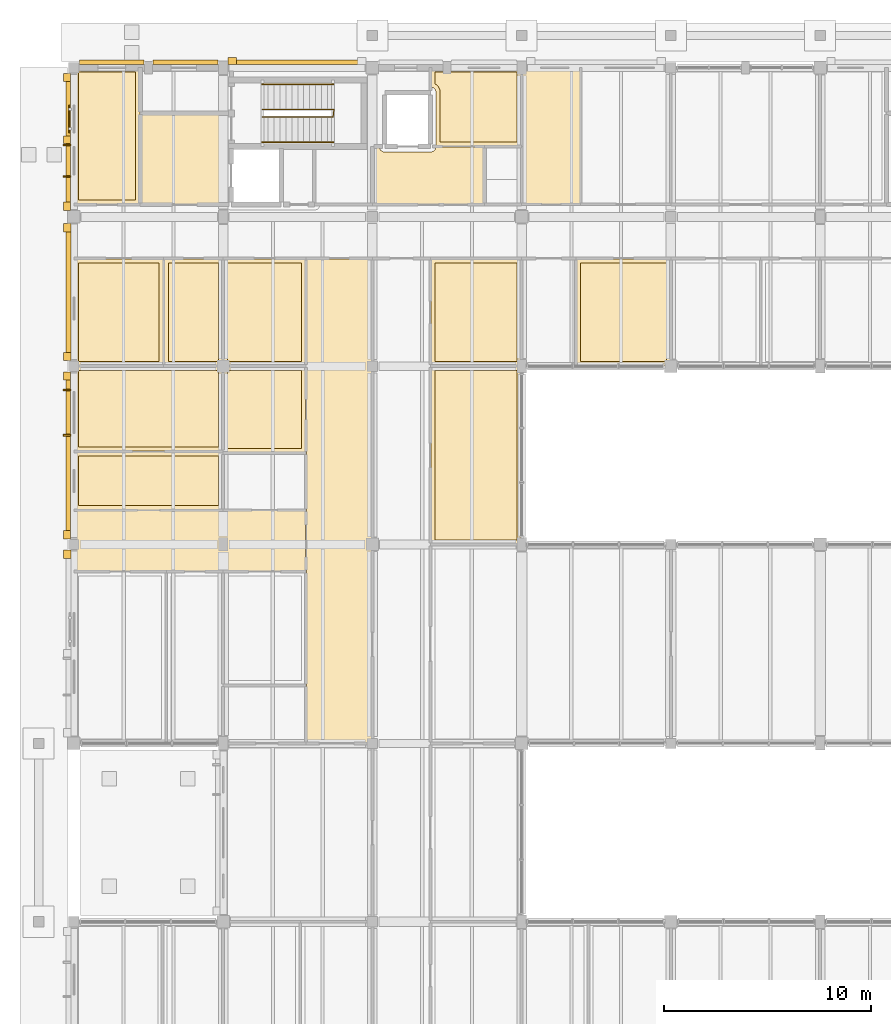
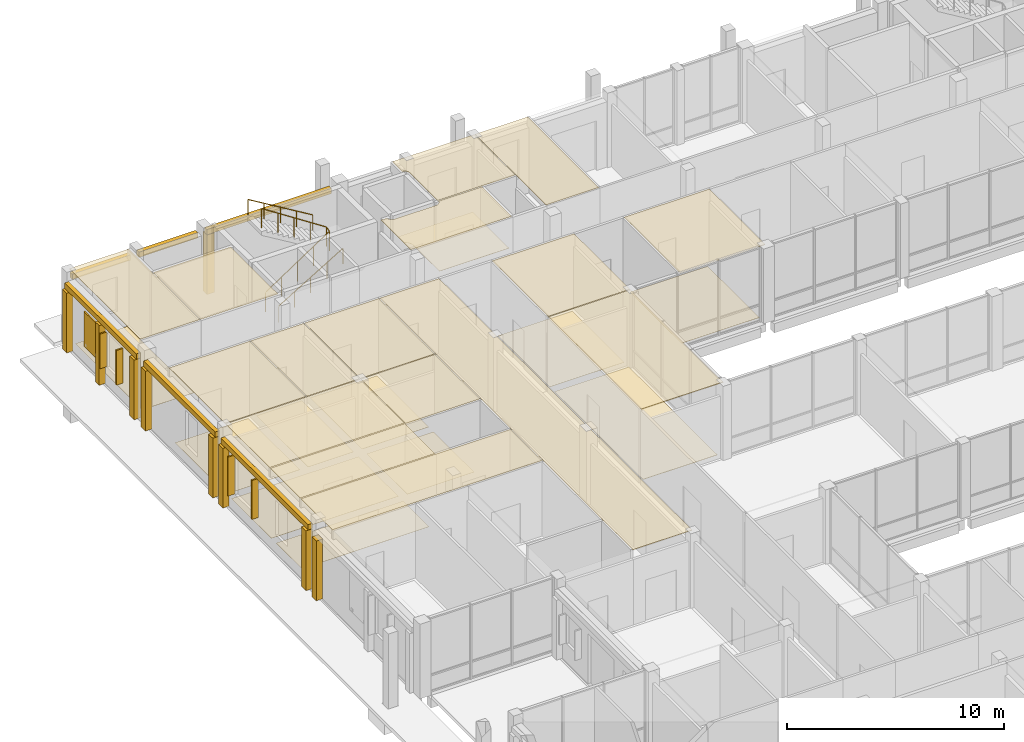
# One storey, part 95 of 104: 42 coverings, 5 shading devices, 3 railings.
"""IFC4 building model written with IfcOpenShell, lengths in metres."""

from ifc_helpers import new_model, si_unit, direction, frame, origin, origin_2d, place, context, subcontext, project, spatial, polyline, rectangle, circle, outline, extrude, material, layer, layer_set, type_object, element, save


model = new_model("IFC4")

# Units and contexts
model_context = context("Model", 3, precision=1e-05, world=origin(), true_north=direction((0.0, 1.0)))
body_context = subcontext(model_context, "Body", "Model", "MODEL_VIEW")
ifc_project = project(units=[si_unit("LENGTHUNIT", "METRE"), si_unit("AREAUNIT", "SQUARE_METRE"), si_unit("VOLUMEUNIT", "CUBIC_METRE"), si_unit("PLANEANGLEUNIT", "RADIAN"), si_unit("MASSUNIT", "GRAM", prefix="KILO")], contexts=[model_context])

# Site, building, storey
site_placement = place(None, origin())
site = spatial("IfcSite", under=ifc_project, at=site_placement, CompositionType="ELEMENT")
building_placement = place(site_placement, origin())
building = spatial("IfcBuilding", under=site, at=building_placement, Name="Hawrajan Terrace Health Centre", CompositionType="ELEMENT")
storey_placement = place(building_placement, origin())
storey = spatial("IfcBuildingStorey", under=building, at=storey_placement, Name="L00", CompositionType="ELEMENT", Elevation=0.0)

# Coverings
ifc_material_1 = material(Name="Precast concrete C40/50", Category="concrete")
ifc_layer_1 = layer(ifc_material_1, 0.219970703125)
ifc_layer_set_1 = layer_set([ifc_layer_1], Name="Precast concrete C40/50")
covering_type_1 = type_object("IfcCoveringType", Name="ArtDecoCorniceBand", PredefinedType="CLADDING", material=ifc_layer_set_1)
covering_1_placement = place(storey_placement, frame((4.330078125, 41.10009765625, 3.3701171875), z_axis=(0.0, 0.0, 1.0), x_axis=(0.0, 1.0, 0.0)))
element("IfcCovering", 1, at=covering_1_placement, inside=storey, type_object=covering_type_1, Name="Art Deco limestone cornice band CRN-L00-0006", PredefinedType="CLADDING", context=body_context, shape_type="SweptSolid", body=[
    extrude(rectangle(XDim=8.06005859375, YDim=0.219970703125, at=origin_2d()), origin(), (0.0, 0.0, 1.0), 0.300048828125),
])
covering_2_placement = place(storey_placement, frame((4.340087890625, 48.97509765625, 3.3701171875), z_axis=(0.0, 0.0, 1.0), x_axis=(0.0, 1.0, 0.0)))
element("IfcCovering", 2, at=covering_2_placement, inside=storey, type_object=covering_type_1, Name="Art Deco limestone cornice band CRN-L00-0007", PredefinedType="CLADDING", context=body_context, shape_type="SweptSolid", body=[
    extrude(rectangle(XDim=6.610107421875, YDim=0.219970703125, at=origin_2d()), origin(), (0.0, 0.0, 1.0), 0.300048828125),
])
covering_3_placement = place(storey_placement, frame((6.425048828125, 60.06005859375, 3.3701171875), z_axis=(0.0, 0.0, 1.0), x_axis=(1.0, 0.0, 0.0)))
element("IfcCovering", 3, at=covering_3_placement, inside=storey, type_object=covering_type_1, Name="Art Deco limestone cornice band CRN-L00-0008", PredefinedType="CLADDING", context=body_context, shape_type="SweptSolid", body=[
    extrude(rectangle(XDim=3.110107421875, YDim=0.219970703125, at=origin_2d()), origin(), (0.0, 0.0, 1.0), 0.300048828125),
])
covering_4_placement = place(storey_placement, frame((9.987548828125, 60.06005859375, 3.3701171875), z_axis=(0.0, 0.0, 1.0), x_axis=(1.0, 0.0, 0.0)))
element("IfcCovering", 4, at=covering_4_placement, inside=storey, type_object=covering_type_1, Name="Art Deco limestone cornice band CRN-L00-0009", PredefinedType="CLADDING", context=body_context, shape_type="SweptSolid", body=[
    extrude(rectangle(XDim=3.135009765625, YDim=0.219970703125, at=origin_2d()), origin(), (0.0, 0.0, 1.0), 0.300048828125),
])
covering_5_placement = place(storey_placement, frame((4.330078125, 56.22509765625, 3.3701171875), z_axis=(0.0, 0.0, 1.0), x_axis=(0.0, 1.0, 0.0)))
element("IfcCovering", 5, at=covering_5_placement, inside=storey, type_object=covering_type_1, Name="Art Deco limestone cornice band CRN-L00-0010", PredefinedType="CLADDING", context=body_context, shape_type="SweptSolid", body=[
    extrude(rectangle(XDim=6.610107421875, YDim=0.219970703125, at=origin_2d()), origin(), (0.0, 0.0, 1.0), 0.300048828125),
])
covering_6_placement = place(storey_placement, frame((15.362548828125, 60.070068359375, 3.3701171875), z_axis=(0.0, 0.0, 1.0), x_axis=(1.0, 0.0, 0.0)))
element("IfcCovering", 6, at=covering_6_placement, inside=storey, type_object=covering_type_1, Name="Art Deco limestone cornice band CRN-L00-0013", PredefinedType="CLADDING", context=body_context, shape_type="SweptSolid", body=[
    extrude(rectangle(XDim=6.635009765625, YDim=0.219970703125, at=origin_2d()), origin(), (0.0, 0.0, 1.0), 0.300048828125),
])
ifc_layer_2 = layer(ifc_material_1, 0.340087890625)
ifc_layer_set_2 = layer_set([ifc_layer_2], Name="Precast concrete C40/50")
covering_type_2 = type_object("IfcCoveringType", Name="ArtDecoStonePilaster", PredefinedType="CLADDING", material=ifc_layer_set_2)
for number, where, z_axis, x_axis, name in (
    (7, (4.280029296875, 36.330078125, 0.0), (0.0, 0.0, 1.0), (0.0, 1.0, 0.0), "Art Deco fluted limestone pilaster FPIL-L00-0007"),
    (8, (4.27001953125, 37.27001953125, 0.0), (0.0, 0.0, 1.0), (0.0, 1.0, 0.0), "Art Deco fluted limestone pilaster FPIL-L00-0009"),
    (9, (4.27001953125, 44.929931640625, 0.0), (0.0, 0.0, 1.0), (0.0, 1.0, 0.0), "Art Deco fluted limestone pilaster FPIL-L00-0010"),
    (10, (4.280029296875, 45.8701171875, 0.0), (0.0, 0.0, 1.0), (0.0, 1.0, 0.0), "Art Deco fluted limestone pilaster FPIL-L00-0011"),
    (11, (4.280029296875, 52.080078125, 0.0), (0.0, 0.0, 1.0), (0.0, 1.0, 0.0), "Art Deco fluted limestone pilaster FPIL-L00-0012"),
    (12, (4.27001953125, 53.1201171875, 0.0), (0.0, 0.0, 1.0), (0.0, 1.0, 0.0), "Art Deco fluted limestone pilaster FPIL-L00-0013"),
    (13, (4.27001953125, 59.330078125, 0.0), (0.0, 0.0, 1.0), (0.0, 1.0, 0.0), "Art Deco fluted limestone pilaster FPIL-L00-0014"),
):
    element("IfcCovering", number, at=place(storey_placement, frame(where, z_axis=z_axis, x_axis=x_axis)), inside=storey, type_object=covering_type_2, Name=name, PredefinedType="CLADDING", context=body_context, shape_type="SweptSolid", body=[
        extrude(rectangle(XDim=0.39990234375, YDim=0.340087890625, at=origin_2d()), origin(), (0.0, 0.0, 1.0), 3.360107421875),
    ])
covering_7_placement = place(storey_placement, frame((4.27001953125, 56.31494140625, 0.0), z_axis=(0.0, 0.0, 1.0), x_axis=(0.0, 1.0, 0.0)))
element("IfcCovering", 14, at=covering_7_placement, inside=storey, type_object=covering_type_2, Name="Art Deco mullion pilaster FPIL-L00-0015", PredefinedType="CLADDING", context=body_context, shape_type="SweptSolid", body=[
    extrude(rectangle(XDim=0.360107421875, YDim=0.340087890625, at=origin_2d()), origin(), (0.0, 0.0, 1.0), 3.360107421875),
])
covering_8_placement = place(storey_placement, frame((12.2451171875, 60.1298828125, 0.0), z_axis=(0.0, 0.0, 1.0), x_axis=(1.0, 0.0, 0.0)))
element("IfcCovering", 15, at=covering_8_placement, inside=storey, type_object=covering_type_2, Name="Art Deco fluted limestone pilaster FPIL-L00-0020", PredefinedType="CLADDING", context=body_context, shape_type="SweptSolid", body=[
    extrude(rectangle(XDim=0.39990234375, YDim=0.340087890625, at=origin_2d()), origin(), (0.0, 0.0, 1.0), 3.360107421875),
])
ifc_material_2 = material(Name="Acoustic linear cedar-slat suspended ceiling")
ifc_layer_3 = layer(ifc_material_2, 0.034912109375)
ifc_layer_set_3 = layer_set([ifc_layer_3], Name="Acoustic linear cedar-slat suspended ceiling")
covering_type_3 = type_object("IfcCoveringType", Name="CedarSlatHallCeiling_35", PredefinedType="CEILING", material=ifc_layer_set_3)
covering_9_placement = place(storey_placement, frame((0.0, 0.0, 4.14501953125)))
element("IfcCovering", 16, at=covering_9_placement, inside=storey, type_object=covering_type_3, Name="Suspended ceiling L00-054", PredefinedType="CEILING", context=body_context, shape_type="SweptSolid", body=[
    extrude(outline(polyline([(21.820068359375, 45.3798828125), (26.179931640625, 45.3798828125), (26.179931640625, 36.820068359375), (21.820068359375, 36.820068359375), (21.820068359375, 45.3798828125)])), origin(), (0.0, 0.0, 1.0), 0.034912109375),
])
ifc_material_3 = material(Name="Hygienic mineral-fibre acoustic tile ceiling")
ifc_layer_4 = layer(ifc_material_3, 0.02490234375)
ifc_layer_set_4 = layer_set([ifc_layer_4], Name="Hygienic mineral-fibre acoustic tile ceiling")
covering_type_4 = type_object("IfcCoveringType", Name="ClinicalAcousticCeiling_25", PredefinedType="CEILING", material=ifc_layer_set_4)
covering_10_placement = place(storey_placement, frame((0.0, 0.0, 4.155029296875)))
element("IfcCovering", 17, at=covering_10_placement, inside=storey, type_object=covering_type_4, Name="Suspended ceiling L00-018", PredefinedType="CEILING", context=body_context, shape_type="SweptSolid", body=[
    extrude(outline(polyline([(7.820068359375, 53.219970703125), (7.820068359375, 57.580078125), (11.929931640625, 57.580078125), (11.929931640625, 53.219970703125), (7.820068359375, 53.219970703125)])), origin(), (0.0, 0.0, 1.0), 0.02490234375),
])
covering_11_placement = place(storey_placement, frame((0.0, 0.0, 4.155029296875)))
element("IfcCovering", 18, at=covering_11_placement, inside=storey, type_object=covering_type_4, Name="Suspended ceiling L00-027", PredefinedType="CEILING", context=body_context, shape_type="SweptSolid", body=[
    extrude(outline(polyline([(24.3798828125, 55.97998046875), (24.3798828125, 53.219970703125), (19.02001953125, 53.219970703125), (19.02001953125, 55.97998046875), (19.3310546875, 55.97998046875), (19.331298828125, 55.974609375), (19.331298828125, 55.97265625), (19.3349609375, 55.9482421875), (19.33544921875, 55.9462890625), (19.34130859375, 55.922607421875), (19.341796875, 55.920654296875), (19.35009765625, 55.897705078125), (19.35107421875, 55.895751953125), (19.361328125, 55.87353515625), (19.3623046875, 55.871826171875), (19.375, 55.850830078125), (19.376220703125, 55.84912109375), (19.390625, 55.82958984375), (19.391845703125, 55.827880859375), (19.408447265625, 55.809814453125), (19.409912109375, 55.808349609375), (19.427978515625, 55.7919921875), (19.429443359375, 55.790771484375), (19.44921875, 55.776123046875), (19.45068359375, 55.77490234375), (19.471923828125, 55.762451171875), (19.4736328125, 55.761474609375), (19.495849609375, 55.7509765625), (19.49755859375, 55.750244140625), (19.520751953125, 55.741943359375), (19.522705078125, 55.741455078125), (19.54638671875, 55.7353515625), (19.54833984375, 55.735107421875), (19.572509765625, 55.7314453125), (19.574462890625, 55.731201171875), (19.59912109375, 55.72998046875), (19.60009765625, 55.72998046875), (21.800048828125, 55.72998046875), (21.801025390625, 55.72998046875), (21.825439453125, 55.731201171875), (21.827392578125, 55.7314453125), (21.851806640625, 55.735107421875), (21.853515625, 55.7353515625), (21.87744140625, 55.741455078125), (21.87939453125, 55.741943359375), (21.90234375, 55.750244140625), (21.904296875, 55.7509765625), (21.926513671875, 55.761474609375), (21.927978515625, 55.762451171875), (21.94921875, 55.77490234375), (21.95068359375, 55.776123046875), (21.970458984375, 55.790771484375), (21.971923828125, 55.7919921875), (21.990234375, 55.808349609375), (21.99169921875, 55.809814453125), (22.008056640625, 55.827880859375), (22.00927734375, 55.82958984375), (22.02392578125, 55.84912109375), (22.02490234375, 55.850830078125), (22.03759765625, 55.871826171875), (22.03857421875, 55.87353515625), (22.049072265625, 55.895751953125), (22.0498046875, 55.897705078125), (22.05810546875, 55.920654296875), (22.05859375, 55.922607421875), (22.064697265625, 55.9462890625), (22.06494140625, 55.9482421875), (22.068603515625, 55.97265625), (22.06884765625, 55.974609375), (22.069091796875, 55.97998046875), (24.3798828125, 55.97998046875)])), origin(), (0.0, 0.0, 1.0), 0.02490234375),
])
covering_12_placement = place(storey_placement, frame((0.0, 0.0, 4.155029296875)))
element("IfcCovering", 19, at=covering_12_placement, inside=storey, type_object=covering_type_4, Name="Suspended ceiling L00-029", PredefinedType="CEILING", context=body_context, shape_type="SweptSolid", body=[
    extrude(outline(polyline([(15.820068359375, 50.580078125), (18.97998046875, 50.580078125), (18.97998046875, 27.219970703125), (15.820068359375, 27.219970703125), (15.820068359375, 50.580078125)])), origin(), (0.0, 0.0, 1.0), 0.02490234375),
])
covering_13_placement = place(storey_placement, frame((0.0, 0.0, 4.155029296875)))
element("IfcCovering", 20, at=covering_13_placement, inside=storey, type_object=covering_type_4, Name="Suspended ceiling L00-030", PredefinedType="CEILING", context=body_context, shape_type="SweptSolid", body=[
    extrude(outline(polyline([(4.6201171875, 38.429931640625), (15.780029296875, 38.429931640625), (15.780029296875, 35.52001953125), (4.6201171875, 35.52001953125), (4.6201171875, 38.429931640625)])), origin(), (0.0, 0.0, 1.0), 0.02490234375),
])
covering_14_placement = place(storey_placement, frame((0.0, 0.0, 4.155029296875)))
element("IfcCovering", 21, at=covering_14_placement, inside=storey, type_object=covering_type_4, Name="Suspended ceiling L00-043", PredefinedType="CEILING", context=body_context, shape_type="SweptSolid", body=[
    extrude(outline(polyline([(26.219970703125, 59.780029296875), (29.030029296875, 59.780029296875), (29.030029296875, 53.219970703125), (26.219970703125, 53.219970703125), (26.219970703125, 59.780029296875)])), origin(), (0.0, 0.0, 1.0), 0.02490234375),
])
covering_15_placement = place(storey_placement, frame((0.0, 0.0, 4.155029296875)))
element("IfcCovering", 22, at=covering_15_placement, inside=storey, type_object=covering_type_4, Name="Suspended ceiling L00-063", PredefinedType="CEILING", context=body_context, shape_type="SweptSolid", body=[
    extrude(outline(polyline([(4.6201171875, 41.258544921875), (11.780029296875, 41.258544921875), (11.780029296875, 38.469970703125), (4.6201171875, 38.469970703125), (4.6201171875, 41.258544921875)])), origin(), (0.0, 0.0, 1.0), 0.02490234375),
])
covering_16_placement = place(storey_placement, frame((0.0, 0.0, 4.155029296875)))
element("IfcCovering", 23, at=covering_16_placement, inside=storey, type_object=covering_type_4, Name="Suspended ceiling L00-064", PredefinedType="CEILING", context=body_context, shape_type="SweptSolid", body=[
    extrude(outline(polyline([(4.6201171875, 45.3798828125), (11.780029296875, 45.3798828125), (11.780029296875, 41.298583984375), (4.6201171875, 41.298583984375), (4.6201171875, 45.3798828125)])), origin(), (0.0, 0.0, 1.0), 0.02490234375),
])
covering_17_placement = place(storey_placement, frame((0.0, 0.0, 4.155029296875)))
element("IfcCovering", 24, at=covering_17_placement, inside=storey, type_object=covering_type_4, Name="Suspended ceiling L00-065", PredefinedType="CEILING", context=body_context, shape_type="SweptSolid", body=[
    extrude(outline(polyline([(4.6201171875, 50.580078125), (8.914306640625, 50.580078125), (8.914306640625, 45.419921875), (4.6201171875, 45.419921875), (4.6201171875, 50.580078125)])), origin(), (0.0, 0.0, 1.0), 0.02490234375),
])
covering_18_placement = place(storey_placement, frame((0.0, 0.0, 4.155029296875)))
element("IfcCovering", 25, at=covering_18_placement, inside=storey, type_object=covering_type_4, Name="Suspended ceiling L00-066", PredefinedType="CEILING", context=body_context, shape_type="SweptSolid", body=[
    extrude(outline(polyline([(8.954345703125, 50.580078125), (11.780029296875, 50.580078125), (11.780029296875, 45.419921875), (8.954345703125, 45.419921875), (8.954345703125, 50.580078125)])), origin(), (0.0, 0.0, 1.0), 0.02490234375),
])
covering_19_placement = place(storey_placement, frame((0.0, 0.0, 4.155029296875)))
element("IfcCovering", 26, at=covering_19_placement, inside=storey, type_object=covering_type_4, Name="Suspended ceiling L00-067", PredefinedType="CEILING", context=body_context, shape_type="SweptSolid", body=[
    extrude(outline(polyline([(4.6201171875, 59.780029296875), (7.780029296875, 59.780029296875), (7.780029296875, 53.219970703125), (4.6201171875, 53.219970703125), (4.6201171875, 59.780029296875)])), origin(), (0.0, 0.0, 1.0), 0.02490234375),
])
covering_20_placement = place(storey_placement, frame((0.0, 0.0, 4.155029296875)))
element("IfcCovering", 27, at=covering_20_placement, inside=storey, type_object=covering_type_4, Name="Suspended ceiling L00-071", PredefinedType="CEILING", context=body_context, shape_type="SweptSolid", body=[
    extrude(outline(polyline([(11.820068359375, 45.3798828125), (15.780029296875, 45.3798828125), (15.780029296875, 41.236083984375), (11.820068359375, 41.236083984375), (11.820068359375, 45.3798828125)])), origin(), (0.0, 0.0, 1.0), 0.02490234375),
])
covering_21_placement = place(storey_placement, frame((0.0, 0.0, 4.155029296875)))
element("IfcCovering", 28, at=covering_21_placement, inside=storey, type_object=covering_type_4, Name="Suspended ceiling L00-072", PredefinedType="CEILING", context=body_context, shape_type="SweptSolid", body=[
    extrude(outline(polyline([(11.820068359375, 50.580078125), (15.780029296875, 50.580078125), (15.780029296875, 45.419921875), (11.820068359375, 45.419921875), (11.820068359375, 50.580078125)])), origin(), (0.0, 0.0, 1.0), 0.02490234375),
])
covering_22_placement = place(storey_placement, frame((0.0, 0.0, 4.155029296875)))
element("IfcCovering", 29, at=covering_22_placement, inside=storey, type_object=covering_type_4, Name="Suspended ceiling L00-073", PredefinedType="CEILING", context=body_context, shape_type="SweptSolid", body=[
    extrude(outline(polyline([(21.820068359375, 50.580078125), (26.179931640625, 50.580078125), (26.179931640625, 45.419921875), (21.820068359375, 45.419921875), (21.820068359375, 50.580078125)])), origin(), (0.0, 0.0, 1.0), 0.02490234375),
])
covering_23_placement = place(storey_placement, frame((0.0, 0.0, 4.155029296875)))
element("IfcCovering", 30, at=covering_23_placement, inside=storey, type_object=covering_type_4, Name="Suspended ceiling L00-074", PredefinedType="CEILING", context=body_context, shape_type="SweptSolid", body=[
    extrude(outline(polyline([(21.820068359375, 59.780029296875), (26.179931640625, 59.780029296875), (26.179931640625, 56.02001953125), (22.070068359375, 56.02001953125), (22.070068359375, 58.60009765625), (22.070068359375, 58.60107421875), (22.06884765625, 58.62548828125), (22.068603515625, 58.62744140625), (22.06494140625, 58.651611328125), (22.064697265625, 58.653564453125), (22.05859375, 58.677490234375), (22.05810546875, 58.67919921875), (22.0498046875, 58.702392578125), (22.049072265625, 58.7041015625), (22.03857421875, 58.726318359375), (22.03759765625, 58.72802734375), (22.02490234375, 58.749267578125), (22.02392578125, 58.750732421875), (22.00927734375, 58.7705078125), (22.008056640625, 58.77197265625), (21.99169921875, 58.790283203125), (21.990234375, 58.79150390625), (21.971923828125, 58.80810546875), (21.970458984375, 58.809326171875), (21.95068359375, 58.823974609375), (21.94921875, 58.824951171875), (21.927978515625, 58.837646484375), (21.926513671875, 58.838623046875), (21.904296875, 58.84912109375), (21.90234375, 58.849853515625), (21.87939453125, 58.858154296875), (21.87744140625, 58.858642578125), (21.853515625, 58.864501953125), (21.851806640625, 58.864990234375), (21.827392578125, 58.86865234375), (21.825439453125, 58.868896484375), (21.820068359375, 58.868896484375), (21.820068359375, 59.780029296875)])), origin(), (0.0, 0.0, 1.0), 0.02490234375),
])
covering_24_placement = place(storey_placement, frame((0.0, 0.0, 4.155029296875)))
element("IfcCovering", 31, at=covering_24_placement, inside=storey, type_object=covering_type_4, Name="Suspended ceiling L00-076", PredefinedType="CEILING", context=body_context, shape_type="SweptSolid", body=[
    extrude(outline(polyline([(28.8408203125, 50.580078125), (33.3798828125, 50.580078125), (33.3798828125, 45.419921875), (28.8408203125, 45.419921875), (28.8408203125, 50.580078125)])), origin(), (0.0, 0.0, 1.0), 0.02490234375),
])
ifc_material_4 = material(Name="Seamless medical-grade cushioned vinyl flooring")
ifc_layer_5 = layer(ifc_material_4, 0.011962890625)
ifc_layer_set_5 = layer_set([ifc_layer_5], Name="Seamless medical-grade cushioned vinyl flooring")
covering_type_5 = type_object("IfcCoveringType", Name="ClinicalVinylFlooring_12", PredefinedType="FLOORING", material=ifc_layer_set_5)
covering_25_placement = place(storey_placement, origin())
element("IfcCovering", 32, at=covering_25_placement, inside=storey, type_object=covering_type_5, Name="Floor finish L00-063", PredefinedType="FLOORING", context=body_context, shape_type="SweptSolid", body=[
    extrude(outline(polyline([(4.820068359375, 41.05859375), (11.580078125, 41.05859375), (11.580078125, 38.669921875), (4.820068359375, 38.669921875), (4.820068359375, 41.05859375)])), origin(), (0.0, 0.0, 1.0), 0.011962890625),
])
covering_26_placement = place(storey_placement, origin())
element("IfcCovering", 33, at=covering_26_placement, inside=storey, type_object=covering_type_5, Name="Floor finish L00-064", PredefinedType="FLOORING", context=body_context, shape_type="SweptSolid", body=[
    extrude(outline(polyline([(4.820068359375, 45.179931640625), (11.580078125, 45.179931640625), (11.580078125, 41.49853515625), (4.820068359375, 41.49853515625), (4.820068359375, 45.179931640625)])), origin(), (0.0, 0.0, 1.0), 0.011962890625),
])
covering_27_placement = place(storey_placement, origin())
element("IfcCovering", 34, at=covering_27_placement, inside=storey, type_object=covering_type_5, Name="Floor finish L00-065", PredefinedType="FLOORING", context=body_context, shape_type="SweptSolid", body=[
    extrude(outline(polyline([(4.820068359375, 50.3798828125), (8.71435546875, 50.3798828125), (8.71435546875, 45.6201171875), (4.820068359375, 45.6201171875), (4.820068359375, 50.3798828125)])), origin(), (0.0, 0.0, 1.0), 0.011962890625),
])
covering_28_placement = place(storey_placement, origin())
element("IfcCovering", 35, at=covering_28_placement, inside=storey, type_object=covering_type_5, Name="Floor finish L00-066", PredefinedType="FLOORING", context=body_context, shape_type="SweptSolid", body=[
    extrude(outline(polyline([(9.154296875, 50.3798828125), (11.580078125, 50.3798828125), (11.580078125, 45.6201171875), (9.154296875, 45.6201171875), (9.154296875, 50.3798828125)])), origin(), (0.0, 0.0, 1.0), 0.011962890625),
])
covering_29_placement = place(storey_placement, origin())
element("IfcCovering", 36, at=covering_29_placement, inside=storey, type_object=covering_type_5, Name="Floor finish L00-067", PredefinedType="FLOORING", context=body_context, shape_type="SweptSolid", body=[
    extrude(outline(polyline([(4.820068359375, 59.580078125), (7.580078125, 59.580078125), (7.580078125, 53.419921875), (4.820068359375, 53.419921875), (4.820068359375, 59.580078125)])), origin(), (0.0, 0.0, 1.0), 0.011962890625),
])
covering_30_placement = place(storey_placement, origin())
element("IfcCovering", 37, at=covering_30_placement, inside=storey, type_object=covering_type_5, Name="Floor finish L00-071", PredefinedType="FLOORING", context=body_context, shape_type="SweptSolid", body=[
    extrude(outline(polyline([(12.02001953125, 45.179931640625), (15.580078125, 45.179931640625), (15.580078125, 41.43603515625), (12.02001953125, 41.43603515625), (12.02001953125, 45.179931640625)])), origin(), (0.0, 0.0, 1.0), 0.011962890625),
])
covering_31_placement = place(storey_placement, origin())
element("IfcCovering", 38, at=covering_31_placement, inside=storey, type_object=covering_type_5, Name="Floor finish L00-072", PredefinedType="FLOORING", context=body_context, shape_type="SweptSolid", body=[
    extrude(outline(polyline([(12.02001953125, 50.3798828125), (15.580078125, 50.3798828125), (15.580078125, 45.6201171875), (12.02001953125, 45.6201171875), (12.02001953125, 50.3798828125)])), origin(), (0.0, 0.0, 1.0), 0.011962890625),
])
covering_32_placement = place(storey_placement, origin())
element("IfcCovering", 39, at=covering_32_placement, inside=storey, type_object=covering_type_5, Name="Floor finish L00-073", PredefinedType="FLOORING", context=body_context, shape_type="SweptSolid", body=[
    extrude(outline(polyline([(22.02001953125, 50.3798828125), (25.97998046875, 50.3798828125), (25.97998046875, 45.6201171875), (22.02001953125, 45.6201171875), (22.02001953125, 50.3798828125)])), origin(), (0.0, 0.0, 1.0), 0.011962890625),
])
covering_33_placement = place(storey_placement, origin())
element("IfcCovering", 40, at=covering_33_placement, inside=storey, type_object=covering_type_5, Name="Floor finish L00-074", PredefinedType="FLOORING", context=body_context, shape_type="SweptSolid", body=[
    extrude(outline(polyline([(22.02001953125, 59.015380859375), (22.02001953125, 59.580078125), (25.97998046875, 59.580078125), (25.97998046875, 56.219970703125), (22.27001953125, 56.219970703125), (22.27001953125, 58.60009765625), (22.27001953125, 58.60498046875), (22.27001953125, 58.60595703125), (22.269775390625, 58.61083984375), (22.2685546875, 58.63525390625), (22.267822265625, 58.64501953125), (22.267578125, 58.64697265625), (22.266357421875, 58.65673828125), (22.2626953125, 58.68115234375), (22.260986328125, 58.690673828125), (22.2607421875, 58.692626953125), (22.258544921875, 58.7021484375), (22.252685546875, 58.72607421875), (22.25, 58.735595703125), (22.24951171875, 58.7373046875), (22.246337890625, 58.74658203125), (22.238037109375, 58.769775390625), (22.234619140625, 58.77880859375), (22.23388671875, 58.78076171875), (22.229736328125, 58.789794921875), (22.219482421875, 58.81201171875), (22.21484375, 58.82080078125), (22.214111328125, 58.822509765625), (22.209228515625, 58.8310546875), (22.196533203125, 58.85205078125), (22.19140625, 58.8603515625), (22.190185546875, 58.86181640625), (22.1845703125, 58.869873046875), (22.169921875, 58.8896484375), (22.163818359375, 58.8974609375), (22.16259765625, 58.89892578125), (22.15625, 58.90625), (22.139892578125, 58.924560546875), (22.133056640625, 58.931640625), (22.131591796875, 58.93310546875), (22.12451171875, 58.939697265625), (22.106201171875, 58.956298828125), (22.098876953125, 58.962646484375), (22.097412109375, 58.9638671875), (22.089599609375, 58.969970703125), (22.06982421875, 58.984619140625), (22.06201171875, 58.990234375), (22.060302734375, 58.9912109375), (22.052001953125, 58.99658203125), (22.031005859375, 59.00927734375), (22.0224609375, 59.013916015625), (22.020751953125, 59.014892578125), (22.02001953125, 59.015380859375)])), origin(), (0.0, 0.0, 1.0), 0.011962890625),
])
covering_34_placement = place(storey_placement, origin())
element("IfcCovering", 41, at=covering_34_placement, inside=storey, type_object=covering_type_5, Name="Floor finish L00-076", PredefinedType="FLOORING", context=body_context, shape_type="SweptSolid", body=[
    extrude(outline(polyline([(29.040771484375, 50.3798828125), (33.179931640625, 50.3798828125), (33.179931640625, 45.6201171875), (29.040771484375, 45.6201171875), (29.040771484375, 50.3798828125)])), origin(), (0.0, 0.0, 1.0), 0.011962890625),
])

# Shading devices
ifc_material_5 = material(Name="Anodized bronze mashrabiya vertical solar fin")
ifc_layer_6 = layer(ifc_material_5, 0.080078125)
ifc_layer_set_6 = layer_set([ifc_layer_6], Name="Anodized bronze mashrabiya vertical solar fin")
shading_device_type_1 = type_object("IfcShadingDeviceType", Name="MashrabiyaVerticalFin", PredefinedType="USERDEFINED", material=ifc_layer_set_6)
for number, where, z_axis, x_axis, name in (
    (42, (4.260009765625, 42.064208984375, 1.0), (0.0, 0.0, 1.0), (0.0, 1.0, 0.0), "Bronze mashrabiya solar fin FIN-L00-0009"),
    (43, (4.260009765625, 44.244384765625, 1.0), (0.0, 0.0, 1.0), (0.0, 1.0, 0.0), "Bronze mashrabiya solar fin FIN-L00-0010"),
):
    element("IfcShadingDevice", number, at=place(storey_placement, frame(where, z_axis=z_axis, x_axis=x_axis)), inside=storey, type_object=shading_device_type_1, Name=name, ObjectType="SOLAR_FIN", PredefinedType="USERDEFINED", context=body_context, shape_type="SweptSolid", body=[
        extrude(rectangle(XDim=0.080078125, YDim=0.360107421875, at=origin_2d()), origin(), (0.0, 0.0, 1.0), 2.199951171875),
    ])
for number, where, z_axis, x_axis, name in (
    (44, (4.260009765625, 54.544921875, 1.0), (0.0, 0.0, 1.0), (0.0, 1.0, 0.0), "Bronze mashrabiya solar fin FIN-L00-0011"),
    (45, (4.260009765625, 56.06494140625, 1.0), (0.0, 0.0, 1.0), (0.0, 1.0, 0.0), "Bronze mashrabiya solar fin FIN-L00-0012"),
):
    element("IfcShadingDevice", number, at=place(storey_placement, frame(where, z_axis=z_axis, x_axis=x_axis)), inside=storey, type_object=shading_device_type_1, Name=name, ObjectType="SOLAR_FIN", PredefinedType="USERDEFINED", context=body_context, shape_type="SweptSolid", body=[
        extrude(rectangle(XDim=0.080078125, YDim=0.360107421875, at=origin_2d()), origin(), (0.0, 0.0, 1.0), 1.949951171875),
    ])
ifc_material_6 = material(Name="Anodized bronze and cedar roshan lattice")
ifc_layer_7 = layer(ifc_material_6, 0.080078125)
ifc_layer_set_7 = layer_set([ifc_layer_7], Name="Anodized bronze and cedar roshan lattice")
shading_device_type_2 = type_object("IfcShadingDeviceType", Name="RoshanScreen_BronzeCedar", PredefinedType="JALOUSIE", material=ifc_layer_set_7)
shading_device_placement = place(storey_placement, frame((4.39501953125, 57.324951171875, 1.0), z_axis=(0.0, 0.0, 1.0), x_axis=(0.0, 1.0, 0.0)))
element("IfcShadingDevice", 46, at=shading_device_placement, inside=storey, type_object=shading_device_type_2, Name="Hijazi roshan solar screen RSH-L00-013", PredefinedType="JALOUSIE", context=body_context, shape_type="SweptSolid", body=[
    extrude(rectangle(XDim=1.340087890625, YDim=0.080078125, at=origin_2d()), origin(), (0.0, 0.0, 1.0), 1.949951171875),
])

# Railings
ifc_material_7 = material(Name="Brushed stainless steel tubular handrail", Category="steel")
railing_type_1 = type_object("IfcRailingType", Name="StairHandrail_900", PredefinedType="HANDRAIL", material=ifc_material_7)
railing_1_placement = place(storey_placement, frame((13.675048828125, 56.199951171875, 0.173095703125)))
element("IfcRailing", 47, at=railing_1_placement, inside=storey, type_object=railing_type_1, Name="Stair handrail ST-1-L00-H1", PredefinedType="HANDRAIL", context=body_context, shape_type="SweptSolid", body=[
    extrude(circle(Radius=0.02392578125, at=origin_2d()), frame((0.024658203125, 0.0, 0.890625), z_axis=(0.856732359591, 0.0, 0.515761247119), x_axis=(0.0, 1.0, 0.0)), (0.0, 0.0, 1.0), 3.96923828125),
    extrude(circle(Radius=0.02099609375, at=origin_2d()), origin(), (0.0, 0.0, 1.0), 0.846923828125),
    extrude(circle(Radius=0.02099609375, at=origin_2d()), frame((0.862548828125, 0.0, 0.519287109375)), (0.0, 0.0, 1.0), 0.846923828125),
    extrude(circle(Radius=0.02099609375, at=origin_2d()), frame((1.72509765625, 0.0, 1.03857421875)), (0.0, 0.0, 1.0), 0.846923828125),
    extrude(circle(Radius=0.02099609375, at=origin_2d()), frame((2.58740234375, 0.0, 1.5576171875)), (0.0, 0.0, 1.0), 0.846923828125),
    extrude(circle(Radius=0.02099609375, at=origin_2d()), frame((3.449951171875, 0.0, 2.076904296875)), (0.0, 0.0, 1.0), 0.846923828125),
])
railing_2_placement = place(storey_placement, frame((17.125, 59.0, 2.423095703125)))
element("IfcRailing", 48, at=railing_2_placement, inside=storey, type_object=railing_type_1, Name="Stair handrail ST-1-L00-H2", PredefinedType="HANDRAIL", context=body_context, shape_type="SweptSolid", body=[
    extrude(circle(Radius=0.02392578125, at=origin_2d()), frame((-0.024658203125, 0.0, 0.890625), z_axis=(-0.856732359591, 0.0, 0.515761247119), x_axis=(0.0, -1.0, 0.0)), (0.0, 0.0, 1.0), 3.96923828125),
    extrude(circle(Radius=0.02099609375, at=origin_2d()), origin(), (0.0, 0.0, 1.0), 0.846923828125),
    extrude(circle(Radius=0.02099609375, at=origin_2d()), frame((-0.862548828125, 0.0, 0.519287109375)), (0.0, 0.0, 1.0), 0.846923828125),
    extrude(circle(Radius=0.02099609375, at=origin_2d()), frame((-1.72509765625, 0.0, 1.03857421875)), (0.0, 0.0, 1.0), 0.846923828125),
    extrude(circle(Radius=0.02099609375, at=origin_2d()), frame((-2.58740234375, 0.0, 1.5576171875)), (0.0, 0.0, 1.0), 0.846923828125),
    extrude(circle(Radius=0.02099609375, at=origin_2d()), frame((-3.449951171875, 0.0, 2.076904296875)), (0.0, 0.0, 1.0), 0.846923828125),
])
ifc_material_8 = material(Name="Painted steel stair well guard", Category="steel")
railing_type_2 = type_object("IfcRailingType", Name="StairWellGuard_1120", PredefinedType="GUARDRAIL", material=ifc_material_8)
railing_3_placement = place(storey_placement, frame((13.699951171875, 57.419921875, 0.0)))
element("IfcRailing", 49, at=railing_3_placement, inside=storey, type_object=railing_type_2, Name="Stair well guard ST-1-L00-G1", PredefinedType="GUARDRAIL", context=body_context, shape_type="SweptSolid", body=[
    extrude(circle(Radius=0.02392578125, at=origin_2d()), frame((0.024169921875, 0.0, 1.112060546875), z_axis=(0.833943147616, 0.0, 0.551850366082), x_axis=(0.0, 1.0, 0.0)), (0.0, 0.0, 1.0), 4.01953125),
    extrude(circle(Radius=0.02392578125, at=origin_2d()), frame((3.404052734375, 0.028564453125, 3.34619140625), z_axis=(0.137000993654, 0.99057091, 0.0), x_axis=(-0.99057091, 0.137000993654, 0.0)), (0.0, 0.0, 1.0), 0.305908203125),
    extrude(circle(Radius=0.02392578125, at=origin_2d()), frame((3.42578125, 0.360107421875, 3.36181640625), z_axis=(-0.837607059222, 0.0, 0.546273204854), x_axis=(0.0, -1.0, 0.0)), (0.0, 0.0, 1.0), 4.06103515625),
    extrude(circle(Radius=0.02099609375, at=origin_2d()), origin(), (0.0, 0.0, 1.0), 1.067138671875),
    extrude(circle(Radius=0.02099609375, at=origin_2d()), frame((0.85009765625, 0.0, 0.5625)), (0.0, 0.0, 1.0), 1.067138671875),
    extrude(circle(Radius=0.02099609375, at=origin_2d()), frame((1.7001953125, 0.0, 1.125)), (0.0, 0.0, 1.0), 1.067138671875),
    extrude(circle(Radius=0.02099609375, at=origin_2d()), frame((2.550048828125, 0.0, 1.6875)), (0.0, 0.0, 1.0), 1.067138671875),
    extrude(circle(Radius=0.02099609375, at=origin_2d()), frame((3.400146484375, 0.0, 2.25)), (0.0, 0.0, 1.0), 1.067138671875),
    extrude(circle(Radius=0.02099609375, at=origin_2d()), frame((3.449951171875, 0.360107421875, 2.25)), (0.0, 0.0, 1.0), 1.067138671875),
    extrude(circle(Radius=0.02099609375, at=origin_2d()), frame((2.58740234375, 0.360107421875, 2.8125)), (0.0, 0.0, 1.0), 1.067138671875),
    extrude(circle(Radius=0.02099609375, at=origin_2d()), frame((1.72509765625, 0.360107421875, 3.375)), (0.0, 0.0, 1.0), 1.067138671875),
    extrude(circle(Radius=0.02099609375, at=origin_2d()), frame((0.862548828125, 0.360107421875, 3.9375)), (0.0, 0.0, 1.0), 1.067138671875),
    extrude(circle(Radius=0.02099609375, at=origin_2d()), frame((0.0, 0.360107421875, 4.5)), (0.0, 0.0, 1.0), 1.067138671875),
])

# Covering
ifc_material_9 = material(Name="Polished coral-aggregate terrazzo flooring")
ifc_layer_8 = layer(ifc_material_9, 0.02001953125)
ifc_layer_set_8 = layer_set([ifc_layer_8], Name="Polished coral-aggregate terrazzo flooring")
covering_type_6 = type_object("IfcCoveringType", Name="TerrazzoHallFlooring_20", PredefinedType="FLOORING", material=ifc_layer_set_8)
covering_35_placement = place(storey_placement, origin())
element("IfcCovering", 50, at=covering_35_placement, inside=storey, type_object=covering_type_6, Name="Floor finish L00-054", PredefinedType="FLOORING", context=body_context, shape_type="SweptSolid", body=[
    extrude(outline(polyline([(22.02001953125, 45.179931640625), (25.97998046875, 45.179931640625), (25.97998046875, 37.02001953125), (22.02001953125, 37.02001953125), (22.02001953125, 45.179931640625)])), origin(), (0.0, 0.0, 1.0), 0.02001953125),
])

save(model, "model.ifc")
